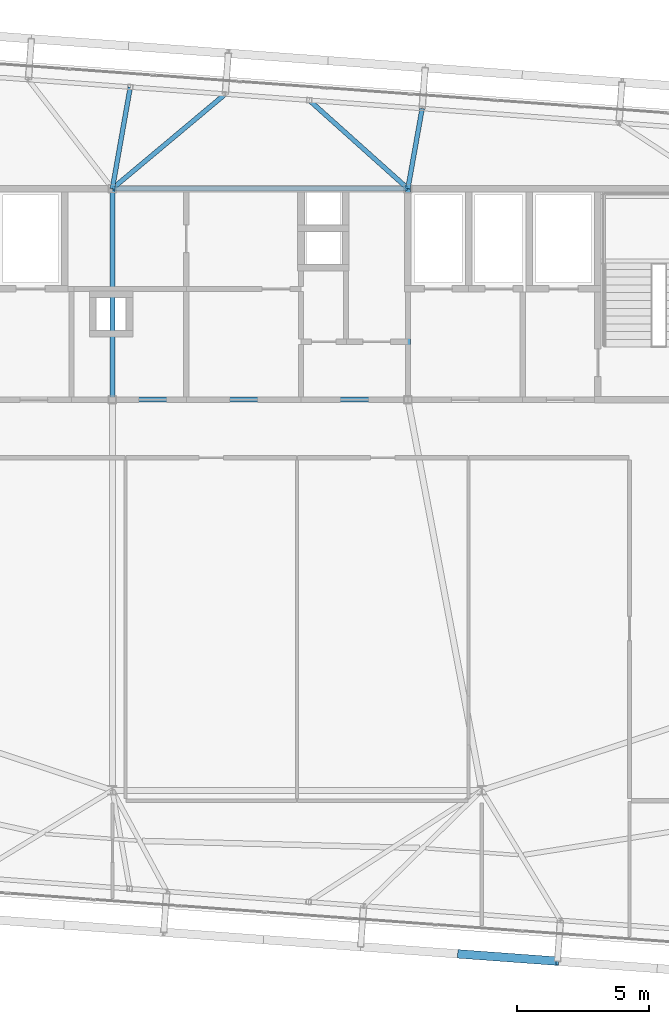
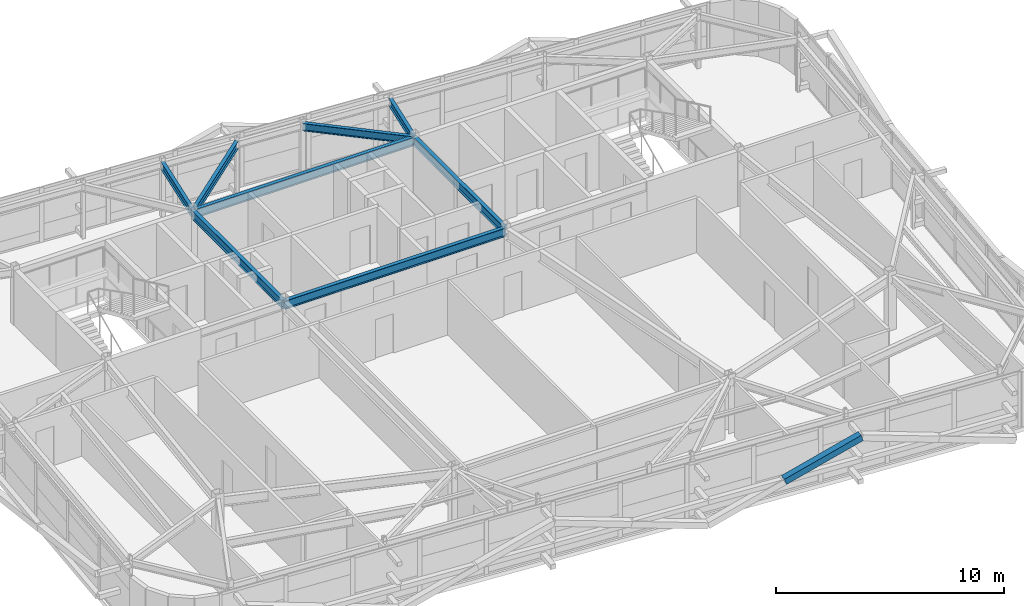
# One storey, part 18 of 42: 8 beams, 1 member.
"""IFC4 building model written with IfcOpenShell, lengths in metres."""

from ifc_helpers import new_model, si_unit, direction, frame, origin, origin_2d, place, context, subcontext, project, spatial, hollow_rectangle, i_section, extrude, source, transform, mapped, material, material_profile, profile_set, type_object, element, save


model = new_model("IFC4")

# Units and contexts
model_context = context("Model", 3, precision=1e-05, world=origin(), true_north=direction((0.0, 1.0)))
body_context = subcontext(model_context, "Body", "Model", "MODEL_VIEW")
ifc_project = project(units=[si_unit("LENGTHUNIT", "METRE"), si_unit("AREAUNIT", "SQUARE_METRE"), si_unit("VOLUMEUNIT", "CUBIC_METRE"), si_unit("PLANEANGLEUNIT", "RADIAN"), si_unit("MASSUNIT", "GRAM", prefix="KILO")], contexts=[model_context])

# Site, building, storey
site_placement = place(None, origin())
site = spatial("IfcSite", under=ifc_project, at=site_placement, CompositionType="ELEMENT")
building_placement = place(site_placement, origin())
building = spatial("IfcBuilding", under=site, at=building_placement, Name="Taldren Reach Tower", CompositionType="ELEMENT")
storey_placement = place(building_placement, frame((0.0, 0.0, 214.550048828125)))
storey = spatial("IfcBuildingStorey", under=building, at=storey_placement, Name="L65", CompositionType="ELEMENT", Elevation=214.550048828125)

# Beams
ifc_material_1 = material(Name="Steel Gr 350 (350PLUS)", Category="steel")
ifc_material_profile_1 = material_profile(ifc_material_1, i_section(OverallWidth=0.19091796875, OverallDepth=0.4599609375, WebThickness=0.010009765625, FlangeThickness=0.01611328125, at=origin_2d()), Name="460UB82.1")
ifc_profile_set_1 = profile_set([ifc_material_profile_1], Name="Steel Gr 350 (350PLUS)")
beam_type_1 = type_object("IfcBeamType", Name="BM-UB460A", PredefinedType="BEAM", material=ifc_profile_set_1)
shared_shape_1 = source(origin(), body_context, "Body", "SweptSolid", [
    extrude(i_section(OverallWidth=0.19091796875, OverallDepth=0.4599609375, WebThickness=0.010009765625, FlangeThickness=0.01611328125, at=origin_2d()), origin(), (0.0, 0.0, 1.0), 11.199951171875),
])
for number, where, z_axis, x_axis, name in (
    (1, (28.0, 24.0, 2.699951171875), (1.0, 0.0, 0.0), (0.0, 1.0, 0.0), "Core-spine girder L65-SP02"),
    (2, (28.0, 32.0, 2.699951171875), (1.0, 0.0, 0.0), (0.0, 1.0, 0.0), "Core-spine girder L65-SP05"),
):
    element("IfcBeam", number, at=place(storey_placement, frame(where, z_axis=z_axis, x_axis=x_axis)), inside=storey, type_object=beam_type_1, Name=name, PredefinedType="BEAM", context=body_context, shape_type="MappedRepresentation", body=[
        mapped(shared_shape_1, transform((0.0, 0.0, 0.0), scale=1.0)),
    ])
shared_shape_2 = source(origin(), body_context, "Body", "SweptSolid", [
    extrude(i_section(OverallWidth=0.19091796875, OverallDepth=0.4599609375, WebThickness=0.010009765625, FlangeThickness=0.01611328125, at=origin_2d()), origin(), (0.0, 0.0, 1.0), 8.0),
])
for number, where, z_axis, x_axis, name in (
    (3, (28.0, 24.0, 2.699951171875), (0.0, 1.0, 0.0), (-1.0, 0.0, 0.0), "Core-spine girder L65-SP07"),
    (4, (39.199951171875, 24.0, 2.699951171875), (0.0, 1.0, 0.0), (-1.0, 0.0, 0.0), "Core-spine girder L65-SP08"),
):
    element("IfcBeam", number, at=place(storey_placement, frame(where, z_axis=z_axis, x_axis=x_axis)), inside=storey, type_object=beam_type_1, Name=name, PredefinedType="BEAM", context=body_context, shape_type="MappedRepresentation", body=[
        mapped(shared_shape_2, transform((0.0, 0.0, 0.0), scale=1.0)),
    ])
ifc_material_profile_2 = material_profile(ifc_material_1, i_section(OverallWidth=0.177978515625, OverallDepth=0.406005859375, WebThickness=0.0078125, FlangeThickness=0.0126953125, at=origin_2d()), Name="410UB59.7")
ifc_profile_set_2 = profile_set([ifc_material_profile_2], Name="Steel Gr 350 (350PLUS)")
beam_type_2 = type_object("IfcBeamType", Name="BM-UB410", PredefinedType="BEAM", material=ifc_profile_set_2)
shared_shape_3 = source(origin(), body_context, "Body", "SweptSolid", [
    extrude(i_section(OverallWidth=0.177978515625, OverallDepth=0.406005859375, WebThickness=0.0078125, FlangeThickness=0.0126953125, at=origin_2d()), origin(), (0.0, 0.0, 1.0), 3.0830078125),
])
beam_1_placement = place(storey_placement, frame((39.199951171875, 32.0, 2.72705078125), z_axis=(0.17500945263, 0.984566753191, 0.0), x_axis=(-0.984566753191, 0.17500945263, 0.0)))
element("IfcBeam", 5, at=beam_1_placement, inside=storey, type_object=beam_type_2, Name="Primary floor girder B5-N4 L65", PredefinedType="BEAM", context=body_context, shape_type="MappedRepresentation", body=[
    mapped(shared_shape_3, transform((0.0, 0.0, 0.0), scale=1.0)),
])
shared_shape_4 = source(origin(), body_context, "Body", "SweptSolid", [
    extrude(i_section(OverallWidth=0.177978515625, OverallDepth=0.406005859375, WebThickness=0.0078125, FlangeThickness=0.0126953125, at=origin_2d()), origin(), (0.0, 0.0, 1.0), 5.02001953125),
])
beam_2_placement = place(storey_placement, frame((39.199951171875, 32.0, 2.72705078125), z_axis=(-0.744827782377, 0.667256753132, 0.0), x_axis=(-0.667256753132, -0.744827782377, 0.0)))
element("IfcBeam", 6, at=beam_2_placement, inside=storey, type_object=beam_type_2, Name="Primary floor girder B5-PJN2 L65", PredefinedType="BEAM", context=body_context, shape_type="MappedRepresentation", body=[
    mapped(shared_shape_4, transform((0.0, 0.0, 0.0), scale=1.0)),
])
shared_shape_5 = source(origin(), body_context, "Body", "SweptSolid", [
    extrude(i_section(OverallWidth=0.177978515625, OverallDepth=0.406005859375, WebThickness=0.0078125, FlangeThickness=0.0126953125, at=origin_2d()), origin(), (0.0, 0.0, 1.0), 5.58154296875),
])
beam_3_placement = place(storey_placement, frame((28.0, 32.0, 2.72705078125), z_axis=(0.766724126108, 0.641976724222, 0.0), x_axis=(-0.641976724222, 0.766724126108, 0.0)))
element("IfcBeam", 7, at=beam_3_placement, inside=storey, type_object=beam_type_2, Name="Primary floor girder B5-N3 L65", PredefinedType="BEAM", context=body_context, shape_type="MappedRepresentation", body=[
    mapped(shared_shape_5, transform((0.0, 0.0, 0.0), scale=1.0)),
])
shared_shape_6 = source(origin(), body_context, "Body", "SweptSolid", [
    extrude(i_section(OverallWidth=0.177978515625, OverallDepth=0.406005859375, WebThickness=0.0078125, FlangeThickness=0.0126953125, at=origin_2d()), origin(), (0.0, 0.0, 1.0), 3.9072265625),
])
beam_4_placement = place(storey_placement, frame((28.0, 32.0, 2.72705078125), z_axis=(0.173835238379, 0.984774750843, 0.0), x_axis=(-0.984774750843, 0.173835238379, 0.0)))
element("IfcBeam", 8, at=beam_4_placement, inside=storey, type_object=beam_type_2, Name="Primary floor girder B5-PJN1 L65", PredefinedType="BEAM", context=body_context, shape_type="MappedRepresentation", body=[
    mapped(shared_shape_6, transform((0.0, 0.0, 0.0), scale=1.0)),
])

# Member
ifc_material_2 = material(Name="Steel Gr 450 (C450L0)", Category="steel")
ifc_material_profile_3 = material_profile(ifc_material_2, hollow_rectangle(XDim=0.324951171875, YDim=0.324951171875, WallThickness=0.0126953125, at=origin_2d()), Name="325x325x12.7SHS")
ifc_profile_set_3 = profile_set([ifc_material_profile_3], Name="Steel Gr 450 (C450L0)")
member_type = type_object("IfcMemberType", Name="MB-BR324", PredefinedType="BRACE", material=ifc_profile_set_3)
shared_shape_7 = source(origin(), body_context, "Body", "SweptSolid", [
    extrude(hollow_rectangle(XDim=0.324951171875, YDim=0.324951171875, WallThickness=0.0126953125, at=origin_2d()), origin(), (0.0, 0.0, 1.0), 3.932373046875),
])
member_placement = place(storey_placement, frame((41.13671875, 2.9970703125, 1.43505859375), z_axis=(0.948529326954, -0.06965898055, 0.308933232813), x_axis=(0.07324169103, 0.997314220642, 0.0)))
element("IfcMember", 9, at=member_placement, inside=storey, type_object=member_type, Name="Exoskeleton Diagrid Brace B5-S4 L65", PredefinedType="BRACE", context=body_context, shape_type="MappedRepresentation", body=[
    mapped(shared_shape_7, transform((0.0, 0.0, 0.0), scale=1.0)),
])

save(model, "model.ifc")
